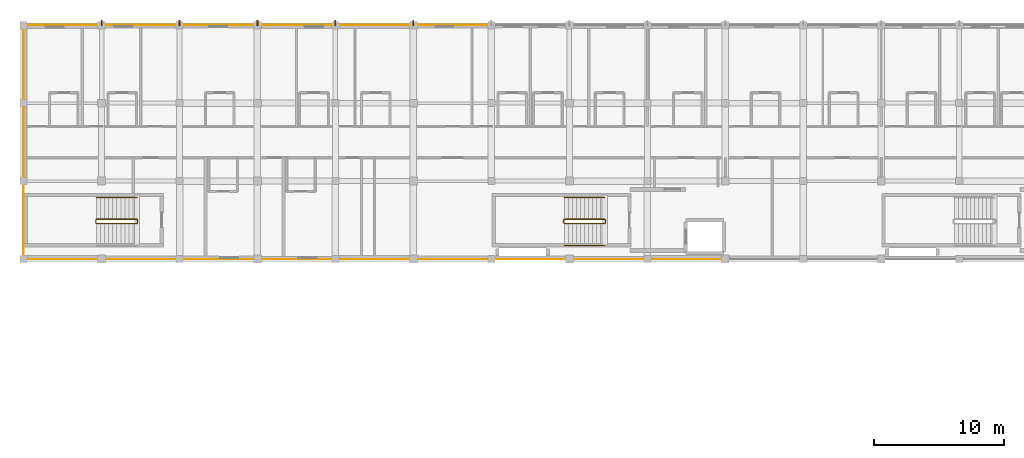
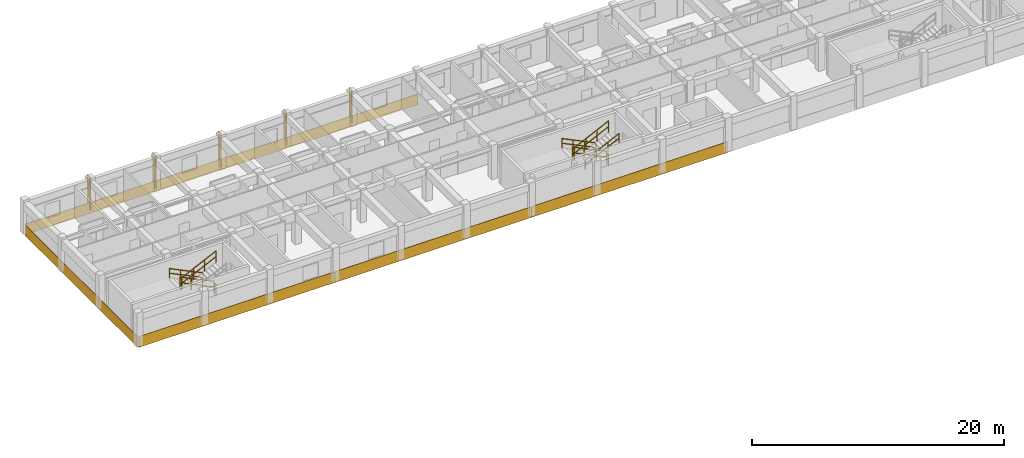
# One storey, part 20 of 22: 11 railings, 6 coverings, 5 shading devices.
"""IFC4 building model written with IfcOpenShell, lengths in metres."""

import ifcopenshell
import ifcopenshell.guid

model = None  # the IFC model being written
_history = None  # IfcOwnerHistory: only IFC2X3 demands one
_inside = {}  # id of a spatial element -> (the spatial element, [elements in it])
_under = {}  # id of a project, library or spatial element -> (it, [spatial elements below it])
_declared = {}  # id of a project -> (the project, [libraries it declares])
_typed = {}  # id of a type object -> (the type object, [elements of that type])
_made_of = {}  # id of a material, layer set ... -> (it, [elements and type objects made of it])


def new_model(schema):
    """Start an empty IFC model of exactly this schema.

    Asked for "IFC4X3", IfcOpenShell would pick the latest addendum, in which some entities
    have other attributes; the version numbers below select the first issue.
    IFC2X3 requires an IfcOwnerHistory on every rooted entity: one is made here for all.
    """
    global model, _history
    if schema == "IFC4X3":
        model = ifcopenshell.file(schema_version=(4, 3, 0, 0))
    else:
        model = ifcopenshell.file(schema=schema)
    _inside.clear()
    _under.clear()
    _declared.clear()
    _typed.clear()
    _made_of.clear()
    _history = None
    if model.schema == "IFC2X3":
        org = make("IfcOrganization", Name="unknown")
        user = make(
            "IfcPersonAndOrganization",
            ThePerson=make("IfcPerson", FamilyName="unknown"),
            TheOrganization=org,
        )
        app = make(
            "IfcApplication",
            ApplicationDeveloper=org,
            Version="unknown",
            ApplicationFullName="unknown",
            ApplicationIdentifier="unknown",
        )
        _history = make(
            "IfcOwnerHistory",
            OwningUser=user,
            OwningApplication=app,
            ChangeAction="ADDED",
            CreationDate=0,
        )
    return model


def make(cls, **values):
    """One entity of the class cls with the attributes given. An attribute that is None is left unset."""
    return model.create_entity(
        cls, **{name: value for name, value in values.items() if value is not None}
    )


def rooted(cls, **values):
    """An entity with a GlobalId (a new one), such as an element, a storey or a relation."""
    return make(cls, GlobalId=ifcopenshell.guid.new(), OwnerHistory=_history, **values)


def si_unit(unit_type, name, prefix=None):
    """IfcSIUnit, for example si_unit("LENGTHUNIT", "METRE", prefix="MILLI")."""
    return make("IfcSIUnit", UnitType=unit_type, Prefix=prefix, Name=name)


def assignment(units):
    """IfcUnitAssignment: the units of a project."""
    return None if units is None else make("IfcUnitAssignment", Units=units)


def point(xyz):
    """IfcCartesianPoint."""
    return None if xyz is None else make("IfcCartesianPoint", Coordinates=xyz)


def direction(xyz):
    """IfcDirection."""
    return None if xyz is None else make("IfcDirection", DirectionRatios=xyz)


def frame(location, z_axis=None, x_axis=None):
    """IfcAxis2Placement3D, a coordinate frame: its origin and axes. An axis left out is left unset."""
    return make(
        "IfcAxis2Placement3D",
        Location=point(location),
        Axis=direction(z_axis),
        RefDirection=direction(x_axis),
    )


def frame_2d(location, x_axis=None):
    """IfcAxis2Placement2D, a coordinate frame in the plane: its origin and x axis."""
    return make(
        "IfcAxis2Placement2D", Location=point(location), RefDirection=direction(x_axis)
    )


def origin():
    """The frame at (0, 0, 0) with its axes left unset."""
    return frame((0.0, 0.0, 0.0))


def origin_2d():
    """The frame at (0, 0) in the plane with its x axis left unset."""
    return frame_2d((0.0, 0.0))


def place(relative_to, where):
    """IfcLocalPlacement: puts the frame where relative to a parent placement (None: the world)."""
    return make(
        "IfcLocalPlacement", PlacementRelTo=relative_to, RelativePlacement=where
    )


def context(
    kind, dimensions, precision=None, world=None, true_north=None, identifier=None
):
    """IfcGeometricRepresentationContext, for example the 3D "Model" context."""
    return make(
        "IfcGeometricRepresentationContext",
        ContextIdentifier=identifier,
        ContextType=kind,
        CoordinateSpaceDimension=dimensions,
        Precision=precision,
        WorldCoordinateSystem=world,
        TrueNorth=true_north,
    )


def subcontext(parent, identifier, kind, view, scale=None):
    """IfcGeometricRepresentationSubContext, for example "Body" below "Model"."""
    return make(
        "IfcGeometricRepresentationSubContext",
        ContextIdentifier=identifier,
        ContextType=kind,
        ParentContext=parent,
        TargetScale=scale,
        TargetView=view,
    )


def project(units=None, contexts=None):
    """IfcProject with its units and contexts."""
    return rooted(
        "IfcProject",
        Name="project",
        RepresentationContexts=contexts,
        UnitsInContext=assignment(units),
    )


def spatial(cls, under=None, at=None, **own):
    """A site, building, storey or space (cls), placed at a placement, below another one or the project."""
    s = rooted(cls, ObjectPlacement=at, **own)
    if under is not None:
        _under.setdefault(under.id(), (under, []))[1].append(s)
    return s


def polyline(points):
    """IfcPolyline through the points."""
    return make("IfcPolyline", Points=[point(p) for p in points])


def profile(cls, at=None, kind="AREA", **sizes):
    """A parametric profile (cls). Its sizes go by their IFC names, for example OverallWidth=200.0."""
    return make(cls, ProfileType=kind, Position=at, **sizes)


def rectangle(**sizes):
    """IfcRectangleProfileDef."""
    return profile("IfcRectangleProfileDef", **sizes)


def circle(**sizes):
    """IfcCircleProfileDef."""
    return profile("IfcCircleProfileDef", **sizes)


def outline(outer, holes=None, kind="AREA"):
    """IfcArbitraryClosedProfileDef: a profile drawn as a closed curve; with holes, ...WithVoids."""
    if holes is None:
        return make("IfcArbitraryClosedProfileDef", ProfileType=kind, OuterCurve=outer)
    return make(
        "IfcArbitraryProfileDefWithVoids",
        ProfileType=kind,
        OuterCurve=outer,
        InnerCurves=holes,
    )


def extrude(swept, where, along, depth):
    """IfcExtrudedAreaSolid: the profile swept, set in the frame where, extruded along a direction by depth."""
    return make(
        "IfcExtrudedAreaSolid",
        SweptArea=swept,
        Position=where,
        ExtrudedDirection=direction(along),
        Depth=depth,
    )


def shape(context_of_items, identifier, shape_type, items):
    """IfcShapeRepresentation: the items that make up one representation, for example the "Body"."""
    return make(
        "IfcShapeRepresentation",
        ContextOfItems=context_of_items,
        RepresentationIdentifier=identifier,
        RepresentationType=shape_type,
        Items=items,
    )


def material(Name=None, Category=None):
    """IfcMaterial."""
    return make("IfcMaterial", Name=Name, Category=Category)


def layer(
    of_material, thickness, ventilated=None, Name=None, Category=None, Priority=None
):
    """IfcMaterialLayer: one layer of a wall or slab, of a material (None: an air gap)."""
    return make(
        "IfcMaterialLayer",
        Material=of_material,
        LayerThickness=thickness,
        IsVentilated=ventilated,
        Name=Name,
        Category=Category,
        Priority=Priority,
    )


def layer_set(layers, Name=None):
    """IfcMaterialLayerSet."""
    return make("IfcMaterialLayerSet", MaterialLayers=layers, LayerSetName=Name)


def made_of(thing, what):
    """Note that an element or type object is made of a material, layer set ...; save() writes the relation."""
    if what is not None:
        _made_of.setdefault(what.id(), (what, []))[1].append(thing)
    return thing


def type_object(cls, material=None, **own):
    """A type object (cls), such as IfcWallType, which elements share."""
    return made_of(rooted(cls, **own), material)


def element(
    cls,
    number,
    at=None,
    inside=None,
    cuts=None,
    type_object=None,
    material=None,
    context=None,
    identifier="Body",
    shape_type=None,
    held_by="IfcProductDefinitionShape",
    body=None,
    shapes=None,
    **own,
):
    """One element of the class cls, such as IfcWall. Its Tag is "e" and its number.

    at: its placement. inside: the storey or other place that contains it. cuts: it is an
    opening in that element (IfcRelVoidsElement). A single representation is given by context,
    identifier, shape_type and body (its items); several are given by shapes. held_by: the class
    of the entity that holds the representations. save() writes the other relations.
    """
    e = rooted(cls, Tag="e%d" % number, ObjectPlacement=at, **own)
    if body is not None:
        shapes = [shape(context, identifier, shape_type, body)]
    if shapes is not None:
        e.Representation = make(held_by, Representations=shapes)
    if inside is not None:
        _inside.setdefault(inside.id(), (inside, []))[1].append(e)
    if cuts is not None:
        rooted(
            "IfcRelVoidsElement", RelatingBuildingElement=cuts, RelatedOpeningElement=e
        )
    if type_object is not None:
        _typed.setdefault(type_object.id(), (type_object, []))[1].append(e)
    return made_of(e, material)


def aggregate(whole, parts):
    """IfcRelAggregates: a whole, such as a stair, and the parts it consists of."""
    return rooted("IfcRelAggregates", RelatingObject=whole, RelatedObjects=parts)


def save(model, path):
    """Write the relations noted so far, then the file.

    IfcRelAggregates (storeys below a building ...), IfcRelContainedInSpatialStructure (elements
    in a storey), IfcRelDefinesByType, IfcRelAssociatesMaterial and IfcRelDeclares: one each for
    every whole, place, type object, material and project.
    """
    for whole, parts in _under.values():
        aggregate(whole, parts)
    for where, things in _inside.values():
        rooted(
            "IfcRelContainedInSpatialStructure",
            RelatedElements=things,
            RelatingStructure=where,
        )
    for kind, things in _typed.values():
        rooted("IfcRelDefinesByType", RelatedObjects=things, RelatingType=kind)
    for what, things in _made_of.values():
        rooted("IfcRelAssociatesMaterial", RelatedObjects=things, RelatingMaterial=what)
    for by, libraries in _declared.values():
        rooted("IfcRelDeclares", RelatingContext=by, RelatedDefinitions=libraries)
    model.write(path)


model = new_model("IFC4")

# Units and contexts
model_context = context("Model", 3, precision=1e-05, world=origin(), true_north=direction((0.0, 1.0)))
body_context = subcontext(model_context, "Body", "Model", "MODEL_VIEW")
ifc_project = project(units=[si_unit("LENGTHUNIT", "METRE"), si_unit("AREAUNIT", "SQUARE_METRE"), si_unit("VOLUMEUNIT", "CUBIC_METRE"), si_unit("PLANEANGLEUNIT", "RADIAN"), si_unit("MASSUNIT", "GRAM", prefix="KILO"), si_unit("THERMODYNAMICTEMPERATUREUNIT", "KELVIN"), si_unit("POWERUNIT", "WATT")], contexts=[model_context])

# Site, building, storey
site_placement = place(None, origin())
site = spatial("IfcSite", under=ifc_project, at=site_placement, CompositionType="ELEMENT")
building_placement = place(site_placement, origin())
building = spatial("IfcBuilding", under=site, at=building_placement, Name="Phaisarnlok Congress Hotel", CompositionType="ELEMENT")
storey_placement = place(building_placement, frame((0.0, 0.0, 28.199951171875)))
storey = spatial("IfcBuildingStorey", under=building, at=storey_placement, Name="L06", CompositionType="ELEMENT", Elevation=28.199951171875)

# Coverings
ifc_material_1 = material(Name="Anodised Silver Aluminium Alloy 6063-T6", Category="aluminium")
ifc_layer_1 = layer(ifc_material_1, 0.031982421875, Name="Anodised Silver Aluminium Alloy 6063-T6")
ifc_layer_set_1 = layer_set([ifc_layer_1], Name="Anodised Silver Aluminium Alloy 6063-T6")
covering_type = type_object("IfcCoveringType", Name="COV-SPAND-ALU", PredefinedType="CLADDING", material=ifc_layer_set_1)
for number, where, z_axis, x_axis, name in (
    (1, (84.06005859375, 125.9951171875, -0.280029296875), (0.0, 1.0, 0.0), (-1.0, 0.0, 0.0), "Swiss minimalist anodised silver rainscreen band CL-02 (L06 N)"),
    (2, (102.06005859375, 125.9951171875, -0.280029296875), (0.0, 1.0, 0.0), (-1.0, 0.0, 0.0), "Swiss minimalist anodised silver rainscreen band CL-02 (L06 N)"),
    (3, (66.06005859375, 108.0048828125, -0.280029296875), (0.0, -1.0, 0.0), (1.0, 0.0, 0.0), "Swiss minimalist anodised silver rainscreen band CL-02 (L06 S)"),
    (4, (84.06005859375, 108.0048828125, -0.280029296875), (0.0, -1.0, 0.0), (1.0, 0.0, 0.0), "Swiss minimalist anodised silver rainscreen band CL-02 (L06 S)"),
    (5, (102.06005859375, 108.0048828125, -0.280029296875), (0.0, -1.0, 0.0), (1.0, 0.0, 0.0), "Swiss minimalist anodised silver rainscreen band CL-02 (L06 S)"),
):
    element("IfcCovering", number, at=place(storey_placement, frame(where, z_axis=z_axis, x_axis=x_axis)), inside=storey, type_object=covering_type, Name=name, PredefinedType="CLADDING", context=body_context, shape_type="SweptSolid", body=[
        extrude(outline(polyline([(0.0, 0.0), (18.0, 0.0), (18.0, 1.050048828125), (0.0, 1.050048828125), (0.0, 0.0)])), origin(), (0.0, 0.0, 1.0), 0.031982421875),
    ])
covering_placement = place(storey_placement, frame((66.0048828125, 125.93994140625, -0.280029296875), z_axis=(-1.0, 0.0, 0.0), x_axis=(0.0, -1.0, 0.0)))
element("IfcCovering", 6, at=covering_placement, inside=storey, type_object=covering_type, Name="Swiss minimalist anodised silver rainscreen band CL-02 (L06 WG)", PredefinedType="CLADDING", context=body_context, shape_type="SweptSolid", body=[
    extrude(outline(polyline([(0.0, 0.0), (17.8798828125, 0.0), (17.8798828125, 1.050048828125), (0.0, 1.050048828125), (0.0, 0.0)])), origin(), (0.0, 0.0, 1.0), 0.031982421875),
])

# Railings
ifc_material_2 = material(Name="Painted Galvanised Steel S275", Category="steel")
railing_type_1 = type_object("IfcRailingType", Name="RLG-STR-GUARD", PredefinedType="BALUSTRADE", material=ifc_material_2)
railing_1_placement = place(storey_placement, frame((110.719970703125, 111.070068359375, 0.150146484375)))
element("IfcRailing", 7, at=railing_1_placement, inside=storey, type_object=railing_type_1, Name="L06 ST-07 stair guard 1", PredefinedType="BALUSTRADE", context=body_context, shape_type="SweptSolid", body=[
    extrude(circle(Radius=0.02392578125, at=origin_2d()), frame((0.0, 0.0, 1.076171875), z_axis=(-0.900151181449, 0.0, 0.435577605641), x_axis=(0.0, -1.0, 0.0)), (0.0, 0.0, 1.0), 3.443603515625),
    extrude(circle(Radius=0.02392578125, at=origin_2d()), frame((0.0, 0.0, 0.52587890625), z_axis=(-0.900151181449, 0.0, 0.435577605641), x_axis=(0.0, -1.0, 0.0)), (0.0, 0.0, 1.0), 3.443603515625),
    extrude(circle(Radius=0.02099609375, at=origin_2d()), origin(), (0.0, 0.0, 1.0), 1.052001953125),
    extrude(circle(Radius=0.02099609375, at=origin_2d()), frame((-1.033203125, 0.0, 0.5)), (0.0, 0.0, 1.0), 1.052001953125),
    extrude(circle(Radius=0.02099609375, at=origin_2d()), frame((-2.066650390625, 0.0, 1.0)), (0.0, 0.0, 1.0), 1.052001953125),
    extrude(circle(Radius=0.02099609375, at=origin_2d()), frame((-3.099853515625, 0.0, 1.5)), (0.0, 0.0, 1.0), 1.052001953125),
])
railing_2_placement = place(storey_placement, frame((107.570068359375, 111.02001953125, 1.650146484375)))
element("IfcRailing", 8, at=railing_2_placement, inside=storey, type_object=railing_type_1, Name="L06 ST-07 stair guard 2", PredefinedType="BALUSTRADE", context=body_context, shape_type="SweptSolid", body=[
    extrude(circle(Radius=0.02392578125, at=origin_2d()), frame((0.0, 0.0, 1.076171875), z_axis=(0.0, -1.0, 0.0), x_axis=(1.0, 0.0, 0.0)), (0.0, 0.0, 1.0), 0.239990234375),
    extrude(circle(Radius=0.02392578125, at=origin_2d()), frame((0.0, 0.0, 0.52587890625), z_axis=(0.0, -1.0, 0.0), x_axis=(1.0, 0.0, 0.0)), (0.0, 0.0, 1.0), 0.239990234375),
    extrude(circle(Radius=0.02099609375, at=origin_2d()), origin(), (0.0, 0.0, 1.0), 1.052001953125),
    extrude(circle(Radius=0.02099609375, at=origin_2d()), frame((0.0, -0.239990234375, 0.0)), (0.0, 0.0, 1.0), 1.052001953125),
])
railing_3_placement = place(storey_placement, frame((107.6201171875, 110.72998046875, 1.800048828125)))
element("IfcRailing", 9, at=railing_3_placement, inside=storey, type_object=railing_type_1, Name="L06 ST-07 stair guard 3", PredefinedType="BALUSTRADE", context=body_context, shape_type="SweptSolid", body=[
    extrude(circle(Radius=0.02392578125, at=origin_2d()), frame((0.0, 0.0, 1.076171875), z_axis=(0.900151181449, 0.0, 0.435577605641), x_axis=(0.0, 1.0, 0.0)), (0.0, 0.0, 1.0), 3.443603515625),
    extrude(circle(Radius=0.02392578125, at=origin_2d()), frame((0.0, 0.0, 0.52587890625), z_axis=(0.900151181449, 0.0, 0.435577605641), x_axis=(0.0, 1.0, 0.0)), (0.0, 0.0, 1.0), 3.443603515625),
    extrude(circle(Radius=0.02099609375, at=origin_2d()), origin(), (0.0, 0.0, 1.0), 1.052001953125),
    extrude(circle(Radius=0.02099609375, at=origin_2d()), frame((1.033203125, 0.0, 0.5)), (0.0, 0.0, 1.0), 1.052001953125),
    extrude(circle(Radius=0.02099609375, at=origin_2d()), frame((2.066650390625, 0.0, 1.0)), (0.0, 0.0, 1.0), 1.052001953125),
    extrude(circle(Radius=0.02099609375, at=origin_2d()), frame((3.099853515625, 0.0, 1.5)), (0.0, 0.0, 1.0), 1.052001953125),
])
railing_4_placement = place(storey_placement, frame((110.77001953125, 111.02001953125, 0.0)))
element("IfcRailing", 10, at=railing_4_placement, inside=storey, type_object=railing_type_1, Name="L06 ST-07 stair guard 4", PredefinedType="BALUSTRADE", context=body_context, shape_type="SweptSolid", body=[
    extrude(circle(Radius=0.02392578125, at=origin_2d()), frame((0.0, 0.0, 1.076171875), z_axis=(0.0, -1.0, 0.0), x_axis=(1.0, 0.0, 0.0)), (0.0, 0.0, 1.0), 0.239990234375),
    extrude(circle(Radius=0.02392578125, at=origin_2d()), frame((0.0, 0.0, 0.52587890625), z_axis=(0.0, -1.0, 0.0), x_axis=(1.0, 0.0, 0.0)), (0.0, 0.0, 1.0), 0.239990234375),
    extrude(circle(Radius=0.02099609375, at=origin_2d()), origin(), (0.0, 0.0, 1.0), 1.052001953125),
    extrude(circle(Radius=0.02099609375, at=origin_2d()), frame((0.0, -0.239990234375, 0.0)), (0.0, 0.0, 1.0), 1.052001953125),
])
railing_5_placement = place(storey_placement, frame((74.719970703125, 111.070068359375, 0.150146484375)))
element("IfcRailing", 11, at=railing_5_placement, inside=storey, type_object=railing_type_1, Name="L06 ST-10 stair guard 1", PredefinedType="BALUSTRADE", context=body_context, shape_type="SweptSolid", body=[
    extrude(circle(Radius=0.02392578125, at=origin_2d()), frame((0.0, 0.0, 1.076171875), z_axis=(-0.900151181449, 0.0, 0.435577605641), x_axis=(0.0, -1.0, 0.0)), (0.0, 0.0, 1.0), 3.443603515625),
    extrude(circle(Radius=0.02392578125, at=origin_2d()), frame((0.0, 0.0, 0.52587890625), z_axis=(-0.900151181449, 0.0, 0.435577605641), x_axis=(0.0, -1.0, 0.0)), (0.0, 0.0, 1.0), 3.443603515625),
    extrude(circle(Radius=0.02099609375, at=origin_2d()), origin(), (0.0, 0.0, 1.0), 1.052001953125),
    extrude(circle(Radius=0.02099609375, at=origin_2d()), frame((-1.033203125, 0.0, 0.5)), (0.0, 0.0, 1.0), 1.052001953125),
    extrude(circle(Radius=0.02099609375, at=origin_2d()), frame((-2.066650390625, 0.0, 1.0)), (0.0, 0.0, 1.0), 1.052001953125),
    extrude(circle(Radius=0.02099609375, at=origin_2d()), frame((-3.099853515625, 0.0, 1.5)), (0.0, 0.0, 1.0), 1.052001953125),
])
railing_6_placement = place(storey_placement, frame((71.570068359375, 111.02001953125, 1.650146484375)))
element("IfcRailing", 12, at=railing_6_placement, inside=storey, type_object=railing_type_1, Name="L06 ST-10 stair guard 2", PredefinedType="BALUSTRADE", context=body_context, shape_type="SweptSolid", body=[
    extrude(circle(Radius=0.02392578125, at=origin_2d()), frame((0.0, 0.0, 1.076171875), z_axis=(0.0, -1.0, 0.0), x_axis=(1.0, 0.0, 0.0)), (0.0, 0.0, 1.0), 0.239990234375),
    extrude(circle(Radius=0.02392578125, at=origin_2d()), frame((0.0, 0.0, 0.52587890625), z_axis=(0.0, -1.0, 0.0), x_axis=(1.0, 0.0, 0.0)), (0.0, 0.0, 1.0), 0.239990234375),
    extrude(circle(Radius=0.02099609375, at=origin_2d()), origin(), (0.0, 0.0, 1.0), 1.052001953125),
    extrude(circle(Radius=0.02099609375, at=origin_2d()), frame((0.0, -0.239990234375, 0.0)), (0.0, 0.0, 1.0), 1.052001953125),
])
railing_7_placement = place(storey_placement, frame((71.6201171875, 110.72998046875, 1.800048828125)))
element("IfcRailing", 13, at=railing_7_placement, inside=storey, type_object=railing_type_1, Name="L06 ST-10 stair guard 3", PredefinedType="BALUSTRADE", context=body_context, shape_type="SweptSolid", body=[
    extrude(circle(Radius=0.02392578125, at=origin_2d()), frame((0.0, 0.0, 1.076171875), z_axis=(0.900151181449, 0.0, 0.435577605641), x_axis=(0.0, 1.0, 0.0)), (0.0, 0.0, 1.0), 3.443603515625),
    extrude(circle(Radius=0.02392578125, at=origin_2d()), frame((0.0, 0.0, 0.52587890625), z_axis=(0.900151181449, 0.0, 0.435577605641), x_axis=(0.0, 1.0, 0.0)), (0.0, 0.0, 1.0), 3.443603515625),
    extrude(circle(Radius=0.02099609375, at=origin_2d()), origin(), (0.0, 0.0, 1.0), 1.052001953125),
    extrude(circle(Radius=0.02099609375, at=origin_2d()), frame((1.033203125, 0.0, 0.5)), (0.0, 0.0, 1.0), 1.052001953125),
    extrude(circle(Radius=0.02099609375, at=origin_2d()), frame((2.066650390625, 0.0, 1.0)), (0.0, 0.0, 1.0), 1.052001953125),
    extrude(circle(Radius=0.02099609375, at=origin_2d()), frame((3.099853515625, 0.0, 1.5)), (0.0, 0.0, 1.0), 1.052001953125),
])
railing_8_placement = place(storey_placement, frame((74.77001953125, 111.02001953125, 0.0)))
element("IfcRailing", 14, at=railing_8_placement, inside=storey, type_object=railing_type_1, Name="L06 ST-10 stair guard 4", PredefinedType="BALUSTRADE", context=body_context, shape_type="SweptSolid", body=[
    extrude(circle(Radius=0.02392578125, at=origin_2d()), frame((0.0, 0.0, 1.076171875), z_axis=(0.0, -1.0, 0.0), x_axis=(1.0, 0.0, 0.0)), (0.0, 0.0, 1.0), 0.239990234375),
    extrude(circle(Radius=0.02392578125, at=origin_2d()), frame((0.0, 0.0, 0.52587890625), z_axis=(0.0, -1.0, 0.0), x_axis=(1.0, 0.0, 0.0)), (0.0, 0.0, 1.0), 0.239990234375),
    extrude(circle(Radius=0.02099609375, at=origin_2d()), origin(), (0.0, 0.0, 1.0), 1.052001953125),
    extrude(circle(Radius=0.02099609375, at=origin_2d()), frame((0.0, -0.239990234375, 0.0)), (0.0, 0.0, 1.0), 1.052001953125),
])
ifc_material_3 = material(Name="Brushed Stainless Steel Grade 304", Category="steel")
railing_type_2 = type_object("IfcRailingType", Name="RLG-STR-HRAIL", PredefinedType="HANDRAIL", material=ifc_material_3)
railing_9_placement = place(storey_placement, frame((110.719970703125, 112.75, 0.150146484375)))
element("IfcRailing", 15, at=railing_9_placement, inside=storey, type_object=railing_type_2, Name="L06 ST-07 stair handrail 1", PredefinedType="HANDRAIL", context=body_context, shape_type="SweptSolid", body=[
    extrude(circle(Radius=0.02392578125, at=origin_2d()), frame((0.0, 0.0, 0.8759765625), z_axis=(-0.900151181449, 0.0, 0.435577605641), x_axis=(0.0, -1.0, 0.0)), (0.0, 0.0, 1.0), 3.443603515625),
    extrude(circle(Radius=0.02392578125, at=origin_2d()), frame((0.0, 0.0, 0.42578125), z_axis=(-0.900151181449, 0.0, 0.435577605641), x_axis=(0.0, -1.0, 0.0)), (0.0, 0.0, 1.0), 3.443603515625),
    extrude(circle(Radius=0.02099609375, at=origin_2d()), origin(), (0.0, 0.0, 1.0), 0.851806640625),
    extrude(circle(Radius=0.02099609375, at=origin_2d()), frame((-1.033203125, 0.0, 0.5)), (0.0, 0.0, 1.0), 0.851806640625),
    extrude(circle(Radius=0.02099609375, at=origin_2d()), frame((-2.066650390625, 0.0, 1.0)), (0.0, 0.0, 1.0), 0.851806640625),
    extrude(circle(Radius=0.02099609375, at=origin_2d()), frame((-3.099853515625, 0.0, 1.5)), (0.0, 0.0, 1.0), 0.851806640625),
])
railing_10_placement = place(storey_placement, frame((107.6201171875, 109.050048828125, 1.800048828125)))
element("IfcRailing", 16, at=railing_10_placement, inside=storey, type_object=railing_type_2, Name="L06 ST-07 stair handrail 2", PredefinedType="HANDRAIL", context=body_context, shape_type="SweptSolid", body=[
    extrude(circle(Radius=0.02392578125, at=origin_2d()), frame((0.0, 0.0, 0.8759765625), z_axis=(0.900151181449, 0.0, 0.435577605641), x_axis=(0.0, 1.0, 0.0)), (0.0, 0.0, 1.0), 3.443603515625),
    extrude(circle(Radius=0.02392578125, at=origin_2d()), frame((0.0, 0.0, 0.42578125), z_axis=(0.900151181449, 0.0, 0.435577605641), x_axis=(0.0, 1.0, 0.0)), (0.0, 0.0, 1.0), 3.443603515625),
    extrude(circle(Radius=0.02099609375, at=origin_2d()), origin(), (0.0, 0.0, 1.0), 0.851806640625),
    extrude(circle(Radius=0.02099609375, at=origin_2d()), frame((1.033203125, 0.0, 0.5)), (0.0, 0.0, 1.0), 0.851806640625),
    extrude(circle(Radius=0.02099609375, at=origin_2d()), frame((2.066650390625, 0.0, 1.0)), (0.0, 0.0, 1.0), 0.851806640625),
    extrude(circle(Radius=0.02099609375, at=origin_2d()), frame((3.099853515625, 0.0, 1.5)), (0.0, 0.0, 1.0), 0.851806640625),
])
railing_11_placement = place(storey_placement, frame((74.719970703125, 112.75, 0.150146484375)))
element("IfcRailing", 17, at=railing_11_placement, inside=storey, type_object=railing_type_2, Name="L06 ST-10 stair handrail 1", PredefinedType="HANDRAIL", context=body_context, shape_type="SweptSolid", body=[
    extrude(circle(Radius=0.02392578125, at=origin_2d()), frame((0.0, 0.0, 0.8759765625), z_axis=(-0.900151181449, 0.0, 0.435577605641), x_axis=(0.0, -1.0, 0.0)), (0.0, 0.0, 1.0), 3.443603515625),
    extrude(circle(Radius=0.02392578125, at=origin_2d()), frame((0.0, 0.0, 0.42578125), z_axis=(-0.900151181449, 0.0, 0.435577605641), x_axis=(0.0, -1.0, 0.0)), (0.0, 0.0, 1.0), 3.443603515625),
    extrude(circle(Radius=0.02099609375, at=origin_2d()), origin(), (0.0, 0.0, 1.0), 0.851806640625),
    extrude(circle(Radius=0.02099609375, at=origin_2d()), frame((-1.033203125, 0.0, 0.5)), (0.0, 0.0, 1.0), 0.851806640625),
    extrude(circle(Radius=0.02099609375, at=origin_2d()), frame((-2.066650390625, 0.0, 1.0)), (0.0, 0.0, 1.0), 0.851806640625),
    extrude(circle(Radius=0.02099609375, at=origin_2d()), frame((-3.099853515625, 0.0, 1.5)), (0.0, 0.0, 1.0), 0.851806640625),
])

# Shading devices
ifc_material_4 = material(Name="Anodised Champagne Aluminium Alloy 6063", Category="aluminium")
ifc_layer_2 = layer(ifc_material_4, 0.050048828125, Name="Anodised Champagne Aluminium Alloy 6063")
ifc_layer_set_2 = layer_set([ifc_layer_2], Name="Anodised Champagne Aluminium Alloy 6063")
shading_device_type = type_object("IfcShadingDeviceType", Name="SHD-FIN-VERT", PredefinedType="SHUTTER", material=ifc_layer_set_2)
for number, where, z_axis, x_axis, name in (
    (18, (72.0, 126.179931640625, 0.0400390625), (0.0, 0.0, 1.0), (1.0, 0.0, 0.0), "Hotel vertical solar fin SF-01 (L06)"),
    (19, (78.0, 126.179931640625, 0.0400390625), (0.0, 0.0, 1.0), (1.0, 0.0, 0.0), "Hotel vertical solar fin SF-01 (L06)"),
    (20, (84.0, 126.179931640625, 0.0400390625), (0.0, 0.0, 1.0), (1.0, 0.0, 0.0), "Hotel vertical solar fin SF-01 (L06)"),
    (21, (90.0, 126.179931640625, 0.0400390625), (0.0, 0.0, 1.0), (1.0, 0.0, 0.0), "Hotel vertical solar fin SF-01 (L06)"),
    (22, (96.0, 126.179931640625, 0.0400390625), (0.0, 0.0, 1.0), (1.0, 0.0, 0.0), "Hotel vertical solar fin SF-01 (L06)"),
):
    element("IfcShadingDevice", number, at=place(storey_placement, frame(where, z_axis=z_axis, x_axis=x_axis)), inside=storey, type_object=shading_device_type, Name=name, PredefinedType="SHUTTER", context=body_context, shape_type="SweptSolid", body=[
        extrude(rectangle(XDim=0.080078125, YDim=0.43994140625, at=origin_2d()), origin(), (0.0, 0.0, 1.0), 3.219970703125),
    ])

save(model, "model.ifc")
